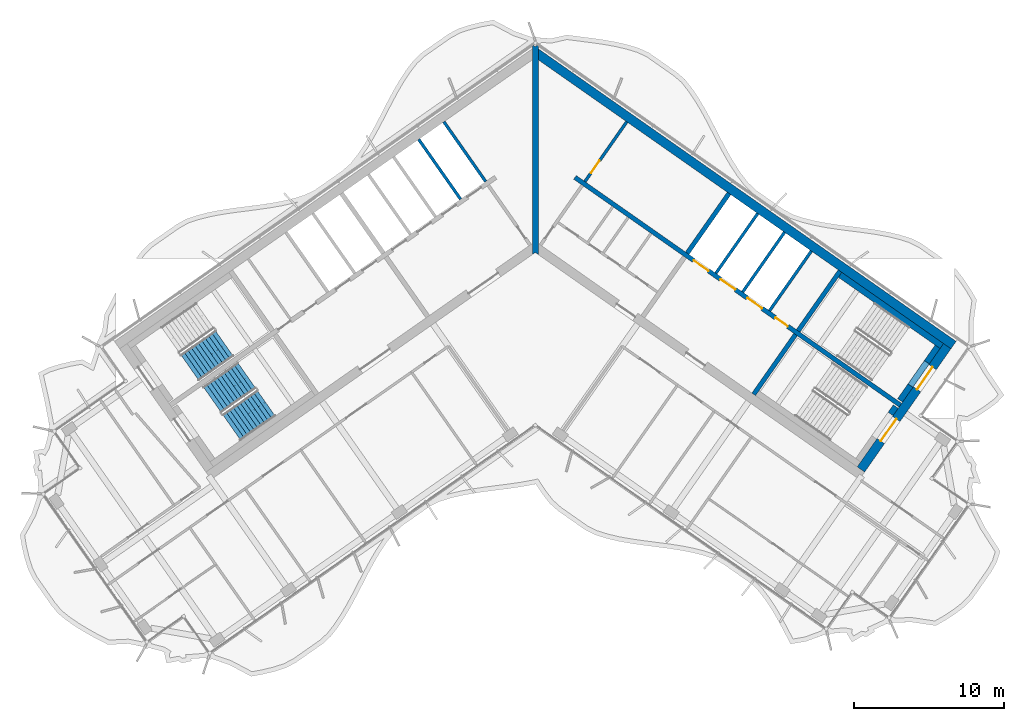
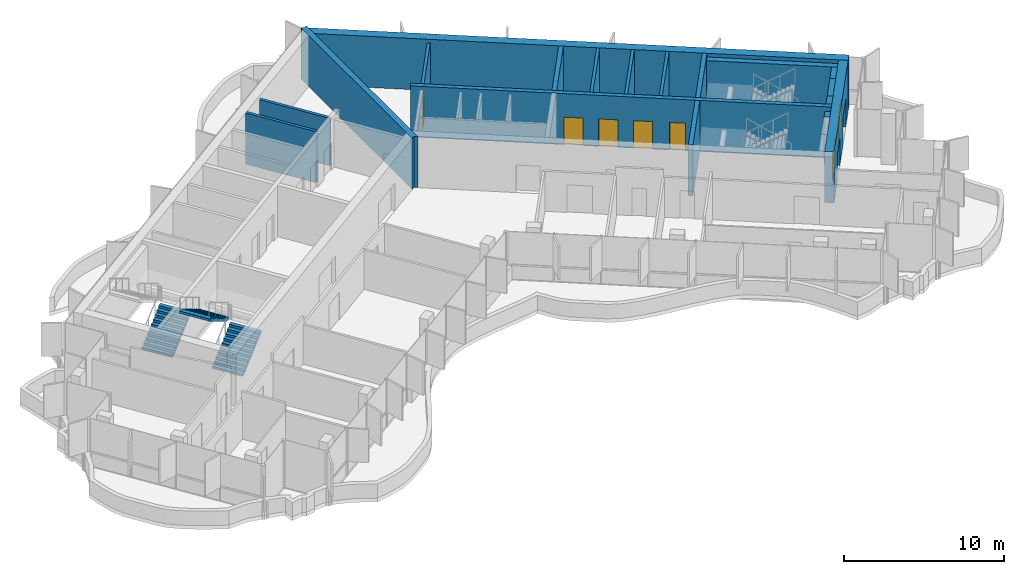
# One storey, part 11 of 17: 18 walls, 7 doors, 3 stair flights, 7 openings, 2 elements without a shape of their own.
"""IFC4 building model written with IfcOpenShell, lengths in metres."""

from ifc_helpers import new_model, si_unit, direction, frame, frame_2d, origin, place, context, subcontext, project, spatial, polyline, rectangle, outline, extrude, material, layer, layer_set, type_object, element, fill, aggregate, save


model = new_model("IFC4")

# Units and contexts
model_context = context("Model", 3, precision=1e-05, world=origin(), true_north=direction((0.0, 1.0)))
body_context = subcontext(model_context, "Body", "Model", "MODEL_VIEW")
ifc_project = project(units=[si_unit("LENGTHUNIT", "METRE"), si_unit("AREAUNIT", "SQUARE_METRE"), si_unit("VOLUMEUNIT", "CUBIC_METRE"), si_unit("PLANEANGLEUNIT", "RADIAN"), si_unit("MASSUNIT", "GRAM", prefix="KILO")], contexts=[model_context])

# Site, building, storey
site_placement = place(None, origin())
site = spatial("IfcSite", under=ifc_project, at=site_placement, CompositionType="ELEMENT")
building_placement = place(site_placement, origin())
building = spatial("IfcBuilding", under=site, at=building_placement, Name="Tel Ilan Convention Tower", CompositionType="ELEMENT")
storey_placement = place(building_placement, frame((0.0, 0.0, 276.10009765625)))
storey = spatial("IfcBuildingStorey", under=building, at=storey_placement, Name="L65", CompositionType="ELEMENT", Elevation=276.10009765625)

# Wall
ifc_material_1 = material(Name="Concrete C30/37", Category="concrete")
ifc_layer_1 = layer(ifc_material_1, 0.199951171875)
ifc_layer_set_1 = layer_set([ifc_layer_1], Name="Core Service Room Wall 200 mm C30/37")
wall_type_1 = type_object("IfcWallType", Name="Core Service Room Wall 200 mm C30/37", PredefinedType="SOLIDWALL", material=ifc_layer_set_1)
wall_1_placement = place(storey_placement, frame((-3.2978515625, 3.489501953125, 0.0), z_axis=(0.0, 0.0, 1.0), x_axis=(-0.573560315113, 0.819163332265, 0.0)))
element("IfcWall", 1, at=wall_1_placement, inside=storey, type_object=wall_type_1, Name="L65 core wall apex-W-b", PredefinedType="SOLIDWALL", context=body_context, shape_type="SweptSolid", body=[
    extrude(rectangle(XDim=4.849853515625, YDim=0.199951171875, at=frame_2d((2.4248046875, 0.0))), origin(), (0.0, 0.0, 1.0), 3.619873046875),
])

# Wall, opening, door
wall_2_placement = place(storey_placement, frame((3.2978515625, 3.489501953125, 0.0), z_axis=(0.0, 0.0, 1.0), x_axis=(0.573560315113, 0.819163332265, 0.0)))
wall_2 = element("IfcWall", 2, at=wall_2_placement, inside=storey, type_object=wall_type_1, Name="L65 core wall apex-E-b", PredefinedType="SOLIDWALL", context=body_context, shape_type="SweptSolid", body=[
    extrude(rectangle(XDim=4.849853515625, YDim=0.199951171875, at=frame_2d((2.4248046875, 0.0))), origin(), (0.0, 0.0, 1.0), 3.619873046875),
])
opening_1_placement = place(wall_2_placement, frame((0.699951171875, 0.0, 0.0)))
opening_1 = element("IfcOpeningElement", 3, at=opening_1_placement, cuts=wall_2, Name="Opening CD5003", PredefinedType="OPENING", context=body_context, shape_type="SweptSolid", body=[
    extrude(rectangle(XDim=1.0, YDim=2.10009765625, at=frame_2d((0.5, 1.050048828125))), frame((0.0, 0.10986328125, 0.0), z_axis=(0.0, -1.0, 0.0), x_axis=(1.0, 0.0, 0.0)), (0.0, 0.0, 1.0), 0.219970703125),
])
ifc_material_2 = material(Name="Galvanised Steel Door Leaf", Category="steel")
door_type_1 = type_object("IfcDoorType", Name="Service Room Door 1000 x 2100 FD60", OperationType="NOTDEFINED", PredefinedType="DOOR", material=ifc_material_2)
door_1_placement = place(opening_1_placement, origin())
door_1 = element("IfcDoor", 4, at=door_1_placement, inside=storey, type_object=door_type_1, Name="Plant Room door", OperationType="SINGLE_SWING_RIGHT", OverallHeight=2.10009765625, OverallWidth=1.0, PredefinedType="DOOR", context=body_context, shape_type="SweptSolid", body=[
    extrude(rectangle(XDim=1.0, YDim=2.10009765625, at=frame_2d((0.5, 1.050048828125))), frame((0.0, 0.02490234375, 0.0), z_axis=(0.0, -1.0, 0.0), x_axis=(1.0, 0.0, 0.0)), (0.0, 0.0, 1.0), 0.050048828125),
])
fill(opening_1, door_1)

# Walls
ifc_material_3 = material(Name="Concrete C40/50", Category="concrete")
ifc_layer_2 = layer(ifc_material_3, 0.300048828125)
ifc_layer_set_2 = layer_set([ifc_layer_2], Name="Core Shear Wall 300 mm C40/50")
wall_type_2 = type_object("IfcWallType", Name="Core Shear Wall 300 mm C40/50", PredefinedType="SHEAR", material=ifc_layer_set_2)
wall_3_placement = place(storey_placement, frame((10.096923828125, -1.271240234375, 0.0), z_axis=(0.0, 0.0, 1.0), x_axis=(0.573560315113, 0.819163332265, 0.0)))
element("IfcWall", 5, at=wall_3_placement, inside=storey, type_object=wall_type_2, Name="L65 core wall E-cross1-2", PredefinedType="SHEAR", context=body_context, shape_type="SweptSolid", body=[
    extrude(outline(polyline([(4.849853515625, -0.150146484375), (4.849853515625, 0.14990234375), (0.0, 0.150146484375), (0.0, -0.14990234375), (4.849853515625, -0.150146484375)])), origin(), (0.0, 0.0, 1.0), 3.89990234375),
])
wall_4_placement = place(storey_placement, frame((14.515380859375, -10.652099609375, 0.0), z_axis=(0.0, 0.0, 1.0), x_axis=(0.573560315113, 0.819163332265, 0.0)))
element("IfcWall", 6, at=wall_4_placement, inside=storey, type_object=wall_type_2, Name="L65 core wall E-cross2-1", PredefinedType="SHEAR", context=body_context, shape_type="SweptSolid", body=[
    extrude(outline(polyline([(0.0, 0.150146484375), (0.0, -0.14990234375), (4.85009765625, -0.14990234375), (4.85009765625, 0.14990234375), (0.0, 0.150146484375)])), origin(), (0.0, 0.0, 1.0), 3.89990234375),
])
wall_5_placement = place(storey_placement, frame((17.46923828125, -6.433349609375, 0.0), z_axis=(0.0, 0.0, 1.0), x_axis=(0.573594092424, 0.81913968109, 0.0)))
element("IfcWall", 7, at=wall_5_placement, inside=storey, type_object=wall_type_2, Name="L65 core wall E-cross2-2", PredefinedType="SHEAR", context=body_context, shape_type="SweptSolid", body=[
    extrude(outline(polyline([(4.849853515625, -0.14990234375), (4.849853515625, 0.150146484375), (0.0, 0.14990234375), (0.0, -0.14990234375), (4.849853515625, -0.14990234375)])), origin(), (0.0, 0.0, 1.0), 3.89990234375),
])

# Wall, openings, doors
wall_6_placement = place(storey_placement, frame((2.638427734375, 3.76806640625, 0.0), z_axis=(0.0, 0.0, 1.0), x_axis=(0.819155014212, -0.573572194837, 0.0)))
wall_6 = element("IfcWall", 8, at=wall_6_placement, inside=storey, type_object=wall_type_2, Name="L65 core wall E-spine", PredefinedType="SHEAR", context=body_context, shape_type="SweptSolid", body=[
    extrude(outline(polyline([(0.0, 0.150146484375), (0.0, -0.14990234375), (26.39990234375, -0.150146484375), (26.39990234375, 0.14990234375), (0.0, 0.150146484375)])), origin(), (0.0, 0.0, 1.0), 3.89990234375),
])
opening_2_placement = place(wall_6_placement, frame((9.637451171875, 0.0, 0.0)))
opening_2 = element("IfcOpeningElement", 9, at=opening_2_placement, cuts=wall_6, Name="Opening LD5001", PredefinedType="OPENING", context=body_context, shape_type="SweptSolid", body=[
    extrude(rectangle(XDim=1.199951171875, YDim=2.10009765625, at=frame_2d((0.60009765625, 1.050048828125))), frame((0.0, 0.159912109375, 0.0), z_axis=(0.0, -1.0, 0.0), x_axis=(1.0, 0.0, 0.0)), (0.0, 0.0, 1.0), 0.320068359375),
])
opening_3_placement = place(wall_6_placement, frame((11.8125, 0.0, 0.0)))
opening_3 = element("IfcOpeningElement", 10, at=opening_3_placement, cuts=wall_6, Name="Opening LD5002", PredefinedType="OPENING", context=body_context, shape_type="SweptSolid", body=[
    extrude(rectangle(XDim=1.199951171875, YDim=2.10009765625, at=frame_2d((0.60009765625, 1.050048828125))), frame((0.0, 0.159912109375, 0.0), z_axis=(0.0, -1.0, 0.0), x_axis=(1.0, 0.0, 0.0)), (0.0, 0.0, 1.0), 0.320068359375),
])
opening_4_placement = place(wall_6_placement, frame((13.987548828125, 0.0, 0.0)))
opening_4 = element("IfcOpeningElement", 11, at=opening_4_placement, cuts=wall_6, Name="Opening LD5003", PredefinedType="OPENING", context=body_context, shape_type="SweptSolid", body=[
    extrude(rectangle(XDim=1.199951171875, YDim=2.10009765625, at=frame_2d((0.60009765625, 1.050048828125))), frame((0.0, 0.159912109375, 0.0), z_axis=(0.0, -1.0, 0.0), x_axis=(1.0, 0.0, 0.0)), (0.0, 0.0, 1.0), 0.320068359375),
])
opening_5_placement = place(wall_6_placement, frame((16.262451171875, 0.0, 0.0)))
opening_5 = element("IfcOpeningElement", 12, at=opening_5_placement, cuts=wall_6, Name="Opening CD5008", PredefinedType="OPENING", context=body_context, shape_type="SweptSolid", body=[
    extrude(rectangle(XDim=1.0, YDim=2.10009765625, at=frame_2d((0.5, 1.050048828125))), frame((0.0, 0.159912109375, 0.0), z_axis=(0.0, -1.0, 0.0), x_axis=(1.0, 0.0, 0.0)), (0.0, 0.0, 1.0), 0.320068359375),
])
ifc_material_4 = material(Name="Stainless Steel Sliding Door Leaf", Category="steel")
door_type_2 = type_object("IfcDoorType", Name="Lift Landing Door 1200 x 2100 FD120", OperationType="NOTDEFINED", PredefinedType="DOOR", material=ifc_material_4)
door_2_placement = place(opening_2_placement, origin())
door_2 = element("IfcDoor", 13, at=door_2_placement, inside=storey, type_object=door_type_2, Name="Lift FL1 landing door", OperationType="SLIDING_TO_LEFT", OverallHeight=2.10009765625, OverallWidth=1.199951171875, PredefinedType="DOOR", context=body_context, shape_type="SweptSolid", body=[
    extrude(rectangle(XDim=1.199951171875, YDim=2.10009765625, at=frame_2d((0.60009765625, 1.050048828125))), frame((0.0, 0.02490234375, 0.0), z_axis=(0.0, -1.0, 0.0), x_axis=(1.0, 0.0, 0.0)), (0.0, 0.0, 1.0), 0.050048828125),
])
fill(opening_2, door_2)
door_3_placement = place(opening_3_placement, origin())
door_3 = element("IfcDoor", 14, at=door_3_placement, inside=storey, type_object=door_type_2, Name="Lift FL2 landing door", OperationType="SLIDING_TO_RIGHT", OverallHeight=2.10009765625, OverallWidth=1.199951171875, PredefinedType="DOOR", context=body_context, shape_type="SweptSolid", body=[
    extrude(rectangle(XDim=1.199951171875, YDim=2.10009765625, at=frame_2d((0.60009765625, 1.050048828125))), frame((0.0, 0.02490234375, 0.0), z_axis=(0.0, -1.0, 0.0), x_axis=(1.0, 0.0, 0.0)), (0.0, 0.0, 1.0), 0.050048828125),
])
fill(opening_3, door_3)
door_4_placement = place(opening_4_placement, origin())
door_4 = element("IfcDoor", 15, at=door_4_placement, inside=storey, type_object=door_type_2, Name="Lift FL3 landing door", OperationType="SLIDING_TO_LEFT", OverallHeight=2.10009765625, OverallWidth=1.199951171875, PredefinedType="DOOR", context=body_context, shape_type="SweptSolid", body=[
    extrude(rectangle(XDim=1.199951171875, YDim=2.10009765625, at=frame_2d((0.60009765625, 1.050048828125))), frame((0.0, 0.02490234375, 0.0), z_axis=(0.0, -1.0, 0.0), x_axis=(1.0, 0.0, 0.0)), (0.0, 0.0, 1.0), 0.050048828125),
])
fill(opening_4, door_4)
door_5_placement = place(opening_5_placement, origin())
door_5 = element("IfcDoor", 16, at=door_5_placement, inside=storey, type_object=door_type_1, Name="Plant Room door", OperationType="SINGLE_SWING_RIGHT", OverallHeight=2.10009765625, OverallWidth=1.0, PredefinedType="DOOR", context=body_context, shape_type="SweptSolid", body=[
    extrude(rectangle(XDim=1.0, YDim=2.10009765625, at=frame_2d((0.5, 1.050048828125))), frame((0.0, 0.02490234375, 0.0), z_axis=(0.0, -1.0, 0.0), x_axis=(1.0, 0.0, 0.0)), (0.0, 0.0, 1.0), 0.050048828125),
])
fill(opening_5, door_5)

# Walls
ifc_material_5 = material(Name="Concrete C40/50", Category="concrete")
ifc_layer_3 = layer(ifc_material_5, 0.39990234375)
ifc_layer_set_3 = layer_set([ifc_layer_3], Name="Core Shear Wall 400 mm C40/50")
wall_type_3 = type_object("IfcWallType", Name="Core Shear Wall 400 mm C40/50", PredefinedType="SHEAR", material=ifc_layer_set_3)
wall_7_placement = place(storey_placement, frame((0.0, -1.36083984375, 0.0), z_axis=(0.0, 0.0, 1.0), x_axis=(0.0, 1.0, 0.0)))
element("IfcWall", 17, at=wall_7_placement, inside=storey, type_object=wall_type_3, Name="L65 core wall K-central", PredefinedType="SHEAR", context=body_context, shape_type="SweptSolid", body=[
    extrude(outline(polyline([(0.14013671875, 0.199951171875), (0.0, 0.199951171875), (0.14013671875, 0.0), (0.0, -0.199951171875), (0.14013671875, -0.199951171875), (1.012451171875, -0.199951171875), (12.940185546875, -0.199951171875), (13.812744140625, -0.199951171875), (13.893310546875, -0.199951171875), (13.933349609375, -0.172119140625), (13.812744140625, 0.0), (13.933349609375, 0.172119140625), (13.893310546875, 0.199951171875), (13.812744140625, 0.199951171875), (12.940185546875, 0.199951171875), (1.012451171875, 0.199951171875), (0.14013671875, 0.199951171875)])), origin(), (0.0, 0.0, 1.0), 3.89990234375),
])
ifc_material_6 = material(Name="Concrete C40/50", Category="concrete")
ifc_layer_4 = layer(ifc_material_6, 0.60009765625)
ifc_layer_set_4 = layer_set([ifc_layer_4], Name="Core Shear Wall 600 mm C40/50")
wall_type_4 = type_object("IfcWallType", Name="Core Shear Wall 600 mm C40/50", PredefinedType="SHEAR", material=ifc_layer_set_4)
wall_8_placement = place(storey_placement, frame((0.02783203125, 12.066162109375, 0.0), z_axis=(0.0, 0.0, 1.0), x_axis=(0.819151382952, -0.573577380837, 0.0)))
element("IfcWall", 18, at=wall_8_placement, inside=storey, type_object=wall_type_4, Name="L65 core wall E-back", PredefinedType="SHEAR", context=body_context, shape_type="SweptSolid", body=[
    extrude(outline(polyline([(33.898193359375, 0.300048828125), (0.0, 0.300048828125), (0.420166015625, -0.300048828125), (33.89794921875, -0.300048828125), (33.898193359375, 0.300048828125)])), origin(), (0.0, 0.0, 1.0), 3.89990234375),
])

# Wall, openings, doors
wall_9_placement = place(storey_placement, frame((21.641845703125, -15.64208984375, 0.0), z_axis=(0.0, 0.0, 1.0), x_axis=(0.573586866468, 0.819144740944, 0.0)))
wall_9 = element("IfcWall", 19, at=wall_9_placement, inside=storey, type_object=wall_type_4, Name="L65 core wall E-end", PredefinedType="SHEAR", context=body_context, shape_type="SweptSolid", body=[
    extrude(outline(polyline([(10.0, 0.300048828125), (0.0, 0.2998046875), (0.0, -0.300048828125), (10.0, -0.300048828125), (10.0, 0.300048828125)])), origin(), (0.0, 0.0, 1.0), 3.89990234375),
])
opening_6_placement = place(wall_9_placement, frame((6.5, 0.0, 0.0)))
opening_6 = element("IfcOpeningElement", 20, at=opening_6_placement, cuts=wall_9, Name="Opening SD5003", PredefinedType="OPENING", context=body_context, shape_type="SweptSolid", body=[
    extrude(rectangle(XDim=1.800048828125, YDim=2.10009765625, at=frame_2d((0.89990234375, 1.050048828125))), frame((0.0, 0.31005859375, 0.0), z_axis=(0.0, -1.0, 0.0), x_axis=(1.0, 0.0, 0.0)), (0.0, 0.0, 1.0), 0.6201171875),
])
opening_7_placement = place(wall_9_placement, frame((2.300048828125, 0.0, 0.0)))
opening_7 = element("IfcOpeningElement", 21, at=opening_7_placement, cuts=wall_9, Name="Opening SD5004", PredefinedType="OPENING", context=body_context, shape_type="SweptSolid", body=[
    extrude(rectangle(XDim=1.800048828125, YDim=2.10009765625, at=frame_2d((0.89990234375, 1.050048828125))), frame((0.0, 0.31005859375, 0.0), z_axis=(0.0, -1.0, 0.0), x_axis=(1.0, 0.0, 0.0)), (0.0, 0.0, 1.0), 0.6201171875),
])
ifc_material_7 = material(Name="Galvanised Steel Door Leaf", Category="steel")
door_type_3 = type_object("IfcDoorType", Name="Stair Fire Door 1800 x 2100 FD60S", OperationType="NOTDEFINED", PredefinedType="DOOR", material=ifc_material_7)
door_6_placement = place(opening_6_placement, origin())
door_6 = element("IfcDoor", 22, at=door_6_placement, inside=storey, type_object=door_type_3, Name="Stair S3 door", OperationType="DOUBLE_DOOR_SINGLE_SWING", OverallHeight=2.10009765625, OverallWidth=1.800048828125, PredefinedType="DOOR", context=body_context, shape_type="SweptSolid", body=[
    extrude(rectangle(XDim=1.800048828125, YDim=2.10009765625, at=frame_2d((0.89990234375, 1.050048828125))), frame((0.0, 0.02490234375, 0.0), z_axis=(0.0, -1.0, 0.0), x_axis=(1.0, 0.0, 0.0)), (0.0, 0.0, 1.0), 0.050048828125),
])
fill(opening_6, door_6)
door_7_placement = place(opening_7_placement, origin())
door_7 = element("IfcDoor", 23, at=door_7_placement, inside=storey, type_object=door_type_3, Name="Stair S4 door", OperationType="DOUBLE_DOOR_SINGLE_SWING", OverallHeight=2.10009765625, OverallWidth=1.800048828125, PredefinedType="DOOR", context=body_context, shape_type="SweptSolid", body=[
    extrude(rectangle(XDim=1.800048828125, YDim=2.10009765625, at=frame_2d((0.89990234375, 1.050048828125))), frame((0.0, 0.02490234375, 0.0), z_axis=(0.0, -1.0, 0.0), x_axis=(1.0, 0.0, 0.0)), (0.0, 0.0, 1.0), 0.050048828125),
])
fill(opening_7, door_7)

# Walls
ifc_material_8 = material(Name="Concrete C30/37", Category="concrete")
ifc_layer_5 = layer(ifc_material_8, 0.199951171875)
ifc_layer_set_5 = layer_set([ifc_layer_5], Name="Lift Shaft Wall 200 mm C30/37")
wall_type_5 = type_object("IfcWallType", Name="Lift Shaft Wall 200 mm C30/37", PredefinedType="SOLIDWALL", material=ifc_layer_set_5)
wall_10_placement = place(storey_placement, frame((-4.966796875, 2.32080078125, 0.0), z_axis=(0.0, 0.0, 1.0), x_axis=(-0.573594092424, 0.81913968109, 0.0)))
element("IfcWall", 24, at=wall_10_placement, inside=storey, type_object=wall_type_5, Name="L65 core wall bank-W1-p0", PredefinedType="SOLIDWALL", context=body_context, shape_type="SweptSolid", body=[
    extrude(rectangle(XDim=4.85009765625, YDim=0.199951171875, at=frame_2d((2.425048828125, 0.0))), origin(), (0.0, 0.0, 1.0), 3.89990234375),
])
wall_11_placement = place(storey_placement, frame((12.00146484375, -2.604736328125, 0.0), z_axis=(0.0, 0.0, 1.0), x_axis=(0.573560315113, 0.819163332265, 0.0)))
element("IfcWall", 25, at=wall_11_placement, inside=storey, type_object=wall_type_5, Name="L65 core wall bank-E2-p0", PredefinedType="SOLIDWALL", context=body_context, shape_type="SweptSolid", body=[
    extrude(rectangle(XDim=4.849853515625, YDim=0.199951171875, at=frame_2d((2.4248046875, 0.0))), origin(), (0.0, 0.0, 1.0), 3.89990234375),
])
wall_12_placement = place(storey_placement, frame((13.782958984375, -3.852294921875, 0.0), z_axis=(0.0, 0.0, 1.0), x_axis=(0.573594092424, 0.81913968109, 0.0)))
element("IfcWall", 26, at=wall_12_placement, inside=storey, type_object=wall_type_5, Name="L65 core wall bank-E2-p1", PredefinedType="SOLIDWALL", context=body_context, shape_type="SweptSolid", body=[
    extrude(rectangle(XDim=4.85009765625, YDim=0.199951171875, at=frame_2d((2.425048828125, 0.0))), origin(), (0.0, 0.0, 1.0), 3.89990234375),
])
wall_13_placement = place(storey_placement, frame((15.564697265625, -5.099853515625, 0.0), z_axis=(0.0, 0.0, 1.0), x_axis=(0.573560315113, 0.819163332265, 0.0)))
element("IfcWall", 27, at=wall_13_placement, inside=storey, type_object=wall_type_5, Name="L65 core wall bank-E2-p2", PredefinedType="SOLIDWALL", context=body_context, shape_type="SweptSolid", body=[
    extrude(rectangle(XDim=4.849853515625, YDim=0.199951171875, at=frame_2d((2.4248046875, 0.0))), origin(), (0.0, 0.0, 1.0), 3.89990234375),
])
ifc_material_9 = material(Name="Concrete C30/37", Category="concrete")
ifc_layer_6 = layer(ifc_material_9, 0.39990234375)
ifc_layer_set_6 = layer_set([ifc_layer_6], Name="Stair and Shaft Lining Wall 400 mm C30/37")
wall_type_6 = type_object("IfcWallType", Name="Stair and Shaft Lining Wall 400 mm C30/37", PredefinedType="SOLIDWALL", material=ifc_layer_set_6)
wall_14_placement = place(storey_placement, frame((20.25927734375, -2.71044921875, 0.0), z_axis=(0.0, 0.0, 1.0), x_axis=(0.81914849389, -0.573581506813, 0.0)))
element("IfcWall", 28, at=wall_14_placement, inside=storey, type_object=wall_type_6, Name="L65 core wall lining-S3-t1", PredefinedType="SOLIDWALL", context=body_context, shape_type="SweptSolid", body=[
    extrude(rectangle(XDim=8.249755859375, YDim=0.39990234375, at=frame_2d((4.125, 0.0))), origin(), (0.0, 0.0, 1.0), 3.619873046875),
])
wall_15_placement = place(storey_placement, frame((24.24365234375, -11.0546875, 0.0), z_axis=(0.0, 0.0, 1.0), x_axis=(0.573571582932, 0.819155442668, 0.0)))
element("IfcWall", 29, at=wall_15_placement, inside=storey, type_object=wall_type_6, Name="L65 core wall lining-S3-u1-0", PredefinedType="SOLIDWALL", context=body_context, shape_type="SweptSolid", body=[
    extrude(rectangle(XDim=1.199951171875, YDim=0.39990234375, at=frame_2d((0.60009765625, 0.0))), origin(), (0.0, 0.0, 1.0), 3.619873046875),
])
wall_16_placement = place(storey_placement, frame((26.021728515625, -8.515380859375, 0.0), z_axis=(0.0, 0.0, 1.0), x_axis=(0.573619628835, 0.819121798889, 0.0)))
element("IfcWall", 30, at=wall_16_placement, inside=storey, type_object=wall_type_6, Name="L65 core wall lining-S3-u1-1", PredefinedType="SOLIDWALL", context=body_context, shape_type="SweptSolid", body=[
    extrude(rectangle(XDim=1.25, YDim=0.39990234375, at=frame_2d((0.625, 0.0))), origin(), (0.0, 0.0, 1.0), 3.619873046875),
])
wall_17_placement = place(storey_placement, frame((24.931884765625, -10.07177734375, 2.14990234375), z_axis=(0.0, 0.0, 1.0), x_axis=(0.573591692345, 0.819141361715, 0.0)))
element("IfcWall", 31, at=wall_17_placement, inside=storey, type_object=wall_type_6, Name="L65 core wall lining-S3-u1-lintel", PredefinedType="SOLIDWALL", context=body_context, shape_type="SweptSolid", body=[
    extrude(rectangle(XDim=1.900146484375, YDim=0.39990234375, at=frame_2d((0.9501953125, 0.0))), origin(), (0.0, 0.0, 1.0), 1.469970703125),
])
wall_18_placement = place(storey_placement, frame((23.61279296875, -11.955810546875, 0.0), z_axis=(0.0, 0.0, 1.0), x_axis=(0.573435029941, 0.819251039936, 0.0)))
element("IfcWall", 32, at=wall_18_placement, inside=storey, type_object=wall_type_6, Name="L65 core wall lining-S4-u1-1", PredefinedType="SOLIDWALL", context=body_context, shape_type="SweptSolid", body=[
    extrude(rectangle(XDim=0.599853515625, YDim=0.39990234375, at=frame_2d((0.2998046875, 0.0))), origin(), (0.0, 0.0, 1.0), 3.619873046875),
])

# Stair, stair flight
ifc_material_10 = material(Name="Concrete C40/50", Category="concrete")
stair_type = type_object("IfcStairType", Name="Pressurised Exit Stair 22 risers 177 mm", PredefinedType="HALF_TURN_STAIR", material=ifc_material_10)
stair_1_placement = place(storey_placement, origin())
stair_1 = element("IfcStair", 33, at=stair_1_placement, inside=storey, type_object=stair_type, Name="L65 Pressurised Stair S1", PredefinedType="HALF_TURN_STAIR")
ifc_material_11 = material(Name="Precast Concrete C40/50", Category="concrete")
stair_flight_type = type_object("IfcStairFlightType", Name="Concrete Stair Flight 2100 mm 22 risers 177 mm", PredefinedType="STRAIGHT", material=ifc_material_11)
stair_flight_1_placement = place(storey_placement, frame((-22.9619140625, -8.87548828125, 0.0), z_axis=(0.0, 0.0, 1.0), x_axis=(0.819152044289, 0.573576436351, 0.0)))
stair_flight_1 = element("IfcStairFlight", 34, at=stair_flight_1_placement, type_object=stair_flight_type, Name="S1 flight 1", NumberOfRisers=11, NumberOfTreads=10, PredefinedType="STRAIGHT", RiserHeight=0.177272727, TreadLength=0.28, context=body_context, shape_type="SweptSolid", body=[
    extrude(outline(polyline([(0.0, 0.0), (0.0, 0.17724609375), (0.280029296875, 0.17724609375), (0.280029296875, 0.3544921875), (0.56005859375, 0.3544921875), (0.56005859375, 0.53173828125), (0.840087890625, 0.53173828125), (0.840087890625, 0.708984375), (1.1201171875, 0.708984375), (1.1201171875, 0.886474609375), (1.39990234375, 0.886474609375), (1.39990234375, 1.063720703125), (1.679931640625, 1.063720703125), (1.679931640625, 1.240966796875), (1.9599609375, 1.240966796875), (1.9599609375, 1.418212890625), (2.239990234375, 1.418212890625), (2.239990234375, 1.595458984375), (2.52001953125, 1.595458984375), (2.52001953125, 1.772705078125), (2.800048828125, 1.772705078125), (2.800048828125, 1.949951171875), (2.800048828125, 1.59521484375), (0.2802734375, 0.0), (0.0, 0.0)])), frame((0.0, -0.100341796875, 0.0), z_axis=(0.0, -1.0, 0.0), x_axis=(1.0, 0.0, 0.0)), (0.0, 0.0, 1.0), 0.94970703125),
    extrude(outline(polyline([(0.0, 0.0), (0.0, 0.17724609375), (0.280029296875, 0.17724609375), (0.280029296875, 0.3544921875), (0.56005859375, 0.3544921875), (0.56005859375, 0.53173828125), (0.840087890625, 0.53173828125), (0.840087890625, 0.708984375), (1.1201171875, 0.708984375), (1.1201171875, 0.886474609375), (1.39990234375, 0.886474609375), (1.39990234375, 1.063720703125), (1.679931640625, 1.063720703125), (1.679931640625, 1.240966796875), (1.9599609375, 1.240966796875), (1.9599609375, 1.418212890625), (2.239990234375, 1.418212890625), (2.239990234375, 1.595458984375), (2.52001953125, 1.595458984375), (2.52001953125, 1.772705078125), (2.800048828125, 1.772705078125), (2.800048828125, 1.949951171875), (2.800048828125, 1.59521484375), (0.2802734375, 0.0), (0.0, 0.0)])), frame((0.0, -0.000244140625, 0.0), z_axis=(0.0, -1.0, 0.0), x_axis=(1.0, 0.0, 0.0)), (0.0, 0.0, 1.0), 0.099609375),
    extrude(outline(polyline([(0.0, 0.0), (0.0, 0.17724609375), (0.280029296875, 0.17724609375), (0.280029296875, 0.3544921875), (0.56005859375, 0.3544921875), (0.56005859375, 0.53173828125), (0.840087890625, 0.53173828125), (0.840087890625, 0.708984375), (1.1201171875, 0.708984375), (1.1201171875, 0.886474609375), (1.39990234375, 0.886474609375), (1.39990234375, 1.063720703125), (1.679931640625, 1.063720703125), (1.679931640625, 1.240966796875), (1.9599609375, 1.240966796875), (1.9599609375, 1.418212890625), (2.239990234375, 1.418212890625), (2.239990234375, 1.595458984375), (2.52001953125, 1.595458984375), (2.52001953125, 1.772705078125), (2.800048828125, 1.772705078125), (2.800048828125, 1.949951171875), (2.800048828125, 1.59521484375), (0.2802734375, 0.0), (0.0, 0.0)])), frame((0.0, 0.099853515625, 0.0), z_axis=(0.0, -1.0, 0.0), x_axis=(1.0, 0.0, 0.0)), (0.0, 0.0, 1.0), 0.099609375),
    extrude(outline(polyline([(0.0, 0.0), (0.0, 0.17724609375), (0.280029296875, 0.17724609375), (0.280029296875, 0.3544921875), (0.56005859375, 0.3544921875), (0.56005859375, 0.53173828125), (0.840087890625, 0.53173828125), (0.840087890625, 0.708984375), (1.1201171875, 0.708984375), (1.1201171875, 0.886474609375), (1.39990234375, 0.886474609375), (1.39990234375, 1.063720703125), (1.679931640625, 1.063720703125), (1.679931640625, 1.240966796875), (1.9599609375, 1.240966796875), (1.9599609375, 1.418212890625), (2.239990234375, 1.418212890625), (2.239990234375, 1.595458984375), (2.52001953125, 1.595458984375), (2.52001953125, 1.772705078125), (2.800048828125, 1.772705078125), (2.800048828125, 1.949951171875), (2.800048828125, 1.59521484375), (0.2802734375, 0.0), (0.0, 0.0)])), frame((0.0, 1.050048828125, 0.0), z_axis=(0.0, -1.0, 0.0), x_axis=(1.0, 0.0, 0.0)), (0.0, 0.0, 1.0), 0.94970703125),
])
aggregate(stair_1, [stair_flight_1])

# Stair, stair flights
stair_2_placement = place(storey_placement, origin())
stair_2 = element("IfcStair", 35, at=stair_2_placement, inside=storey, type_object=stair_type, Name="L65 Pressurised Stair S2", PredefinedType="HALF_TURN_STAIR")
stair_flight_2_placement = place(storey_placement, frame((-20.179931640625, -12.848388671875, 0.0), z_axis=(0.0, 0.0, 1.0), x_axis=(0.819152044289, 0.573576436351, 0.0)))
stair_flight_2 = element("IfcStairFlight", 36, at=stair_flight_2_placement, type_object=stair_flight_type, Name="S2 flight 1", NumberOfRisers=11, NumberOfTreads=10, PredefinedType="STRAIGHT", RiserHeight=0.177272727, TreadLength=0.28, context=body_context, shape_type="SweptSolid", body=[
    extrude(outline(polyline([(0.0, 0.0), (0.0, 0.17724609375), (0.280029296875, 0.17724609375), (0.280029296875, 0.3544921875), (0.56005859375, 0.3544921875), (0.56005859375, 0.53173828125), (0.840087890625, 0.53173828125), (0.840087890625, 0.708984375), (1.1201171875, 0.708984375), (1.1201171875, 0.886474609375), (1.39990234375, 0.886474609375), (1.39990234375, 1.063720703125), (1.679931640625, 1.063720703125), (1.679931640625, 1.240966796875), (1.9599609375, 1.240966796875), (1.9599609375, 1.418212890625), (2.239990234375, 1.418212890625), (2.239990234375, 1.595458984375), (2.52001953125, 1.595458984375), (2.52001953125, 1.772705078125), (2.800048828125, 1.772705078125), (2.800048828125, 1.949951171875), (2.800048828125, 1.59521484375), (0.2802734375, 0.0), (0.0, 0.0)])), frame((0.0, -0.100341796875, 0.0), z_axis=(0.0, -1.0, 0.0), x_axis=(1.0, 0.0, 0.0)), (0.0, 0.0, 1.0), 0.94970703125),
    extrude(outline(polyline([(0.0, 0.0), (0.0, 0.17724609375), (0.280029296875, 0.17724609375), (0.280029296875, 0.3544921875), (0.56005859375, 0.3544921875), (0.56005859375, 0.53173828125), (0.840087890625, 0.53173828125), (0.840087890625, 0.708984375), (1.1201171875, 0.708984375), (1.1201171875, 0.886474609375), (1.39990234375, 0.886474609375), (1.39990234375, 1.063720703125), (1.679931640625, 1.063720703125), (1.679931640625, 1.240966796875), (1.9599609375, 1.240966796875), (1.9599609375, 1.418212890625), (2.239990234375, 1.418212890625), (2.239990234375, 1.595458984375), (2.52001953125, 1.595458984375), (2.52001953125, 1.772705078125), (2.800048828125, 1.772705078125), (2.800048828125, 1.949951171875), (2.800048828125, 1.59521484375), (0.2802734375, 0.0), (0.0, 0.0)])), frame((0.0, -0.000244140625, 0.0), z_axis=(0.0, -1.0, 0.0), x_axis=(1.0, 0.0, 0.0)), (0.0, 0.0, 1.0), 0.099609375),
    extrude(outline(polyline([(0.0, 0.0), (0.0, 0.17724609375), (0.280029296875, 0.17724609375), (0.280029296875, 0.3544921875), (0.56005859375, 0.3544921875), (0.56005859375, 0.53173828125), (0.840087890625, 0.53173828125), (0.840087890625, 0.708984375), (1.1201171875, 0.708984375), (1.1201171875, 0.886474609375), (1.39990234375, 0.886474609375), (1.39990234375, 1.063720703125), (1.679931640625, 1.063720703125), (1.679931640625, 1.240966796875), (1.9599609375, 1.240966796875), (1.9599609375, 1.418212890625), (2.239990234375, 1.418212890625), (2.239990234375, 1.595458984375), (2.52001953125, 1.595458984375), (2.52001953125, 1.772705078125), (2.800048828125, 1.772705078125), (2.800048828125, 1.949951171875), (2.800048828125, 1.59521484375), (0.2802734375, 0.0), (0.0, 0.0)])), frame((0.0, 0.099853515625, 0.0), z_axis=(0.0, -1.0, 0.0), x_axis=(1.0, 0.0, 0.0)), (0.0, 0.0, 1.0), 0.099609375),
    extrude(outline(polyline([(0.0, 0.0), (0.0, 0.17724609375), (0.280029296875, 0.17724609375), (0.280029296875, 0.3544921875), (0.56005859375, 0.3544921875), (0.56005859375, 0.53173828125), (0.840087890625, 0.53173828125), (0.840087890625, 0.708984375), (1.1201171875, 0.708984375), (1.1201171875, 0.886474609375), (1.39990234375, 0.886474609375), (1.39990234375, 1.063720703125), (1.679931640625, 1.063720703125), (1.679931640625, 1.240966796875), (1.9599609375, 1.240966796875), (1.9599609375, 1.418212890625), (2.239990234375, 1.418212890625), (2.239990234375, 1.595458984375), (2.52001953125, 1.595458984375), (2.52001953125, 1.772705078125), (2.800048828125, 1.772705078125), (2.800048828125, 1.949951171875), (2.800048828125, 1.59521484375), (0.2802734375, 0.0), (0.0, 0.0)])), frame((0.0, 1.050048828125, 0.0), z_axis=(0.0, -1.0, 0.0), x_axis=(1.0, 0.0, 0.0)), (0.0, 0.0, 1.0), 0.94970703125),
])
stair_flight_3_placement = place(storey_placement, frame((-19.177001953125, -9.399169921875, 1.949951171875), z_axis=(0.0, 0.0, 1.0), x_axis=(-0.819152044289, -0.573576436351, 0.0)))
stair_flight_3 = element("IfcStairFlight", 37, at=stair_flight_3_placement, type_object=stair_flight_type, Name="S2 flight 2", NumberOfRisers=11, NumberOfTreads=10, PredefinedType="STRAIGHT", RiserHeight=0.177272727, TreadLength=0.28, context=body_context, shape_type="SweptSolid", body=[
    extrude(outline(polyline([(0.0, 0.0), (0.0, 0.17724609375), (0.280029296875, 0.17724609375), (0.280029296875, 0.3544921875), (0.56005859375, 0.3544921875), (0.56005859375, 0.53173828125), (0.840087890625, 0.53173828125), (0.840087890625, 0.708984375), (1.1201171875, 0.708984375), (1.1201171875, 0.886474609375), (1.39990234375, 0.886474609375), (1.39990234375, 1.063720703125), (1.679931640625, 1.063720703125), (1.679931640625, 1.240966796875), (1.9599609375, 1.240966796875), (1.9599609375, 1.418212890625), (2.239990234375, 1.418212890625), (2.239990234375, 1.595458984375), (2.52001953125, 1.595458984375), (2.52001953125, 1.772705078125), (2.800048828125, 1.772705078125), (2.800048828125, 1.949951171875), (2.800048828125, 1.59521484375), (0.2802734375, 0.0), (0.0, 0.0)])), frame((0.0, -0.100341796875, 0.0), z_axis=(0.0, -1.0, 0.0), x_axis=(1.0, 0.0, 0.0)), (0.0, 0.0, 1.0), 0.94970703125),
    extrude(outline(polyline([(0.0, 0.0), (0.0, 0.17724609375), (0.280029296875, 0.17724609375), (0.280029296875, 0.3544921875), (0.56005859375, 0.3544921875), (0.56005859375, 0.53173828125), (0.840087890625, 0.53173828125), (0.840087890625, 0.708984375), (1.1201171875, 0.708984375), (1.1201171875, 0.886474609375), (1.39990234375, 0.886474609375), (1.39990234375, 1.063720703125), (1.679931640625, 1.063720703125), (1.679931640625, 1.240966796875), (1.9599609375, 1.240966796875), (1.9599609375, 1.418212890625), (2.239990234375, 1.418212890625), (2.239990234375, 1.595458984375), (2.52001953125, 1.595458984375), (2.52001953125, 1.772705078125), (2.800048828125, 1.772705078125), (2.800048828125, 1.949951171875), (2.800048828125, 1.59521484375), (0.2802734375, 0.0), (0.0, 0.0)])), frame((0.0, -0.000244140625, 0.0), z_axis=(0.0, -1.0, 0.0), x_axis=(1.0, 0.0, 0.0)), (0.0, 0.0, 1.0), 0.099609375),
    extrude(outline(polyline([(0.0, 0.0), (0.0, 0.17724609375), (0.280029296875, 0.17724609375), (0.280029296875, 0.3544921875), (0.56005859375, 0.3544921875), (0.56005859375, 0.53173828125), (0.840087890625, 0.53173828125), (0.840087890625, 0.708984375), (1.1201171875, 0.708984375), (1.1201171875, 0.886474609375), (1.39990234375, 0.886474609375), (1.39990234375, 1.063720703125), (1.679931640625, 1.063720703125), (1.679931640625, 1.240966796875), (1.9599609375, 1.240966796875), (1.9599609375, 1.418212890625), (2.239990234375, 1.418212890625), (2.239990234375, 1.595458984375), (2.52001953125, 1.595458984375), (2.52001953125, 1.772705078125), (2.800048828125, 1.772705078125), (2.800048828125, 1.949951171875), (2.800048828125, 1.59521484375), (0.2802734375, 0.0), (0.0, 0.0)])), frame((0.0, 0.099853515625, 0.0), z_axis=(0.0, -1.0, 0.0), x_axis=(1.0, 0.0, 0.0)), (0.0, 0.0, 1.0), 0.099609375),
    extrude(outline(polyline([(0.0, 0.0), (0.0, 0.17724609375), (0.280029296875, 0.17724609375), (0.280029296875, 0.3544921875), (0.56005859375, 0.3544921875), (0.56005859375, 0.53173828125), (0.840087890625, 0.53173828125), (0.840087890625, 0.708984375), (1.1201171875, 0.708984375), (1.1201171875, 0.886474609375), (1.39990234375, 0.886474609375), (1.39990234375, 1.063720703125), (1.679931640625, 1.063720703125), (1.679931640625, 1.240966796875), (1.9599609375, 1.240966796875), (1.9599609375, 1.418212890625), (2.239990234375, 1.418212890625), (2.239990234375, 1.595458984375), (2.52001953125, 1.595458984375), (2.52001953125, 1.772705078125), (2.800048828125, 1.772705078125), (2.800048828125, 1.949951171875), (2.800048828125, 1.59521484375), (0.2802734375, 0.0), (0.0, 0.0)])), frame((0.0, 1.050048828125, 0.0), z_axis=(0.0, -1.0, 0.0), x_axis=(1.0, 0.0, 0.0)), (0.0, 0.0, 1.0), 0.94970703125),
])
aggregate(stair_2, [stair_flight_2, stair_flight_3])

save(model, "model.ifc")
